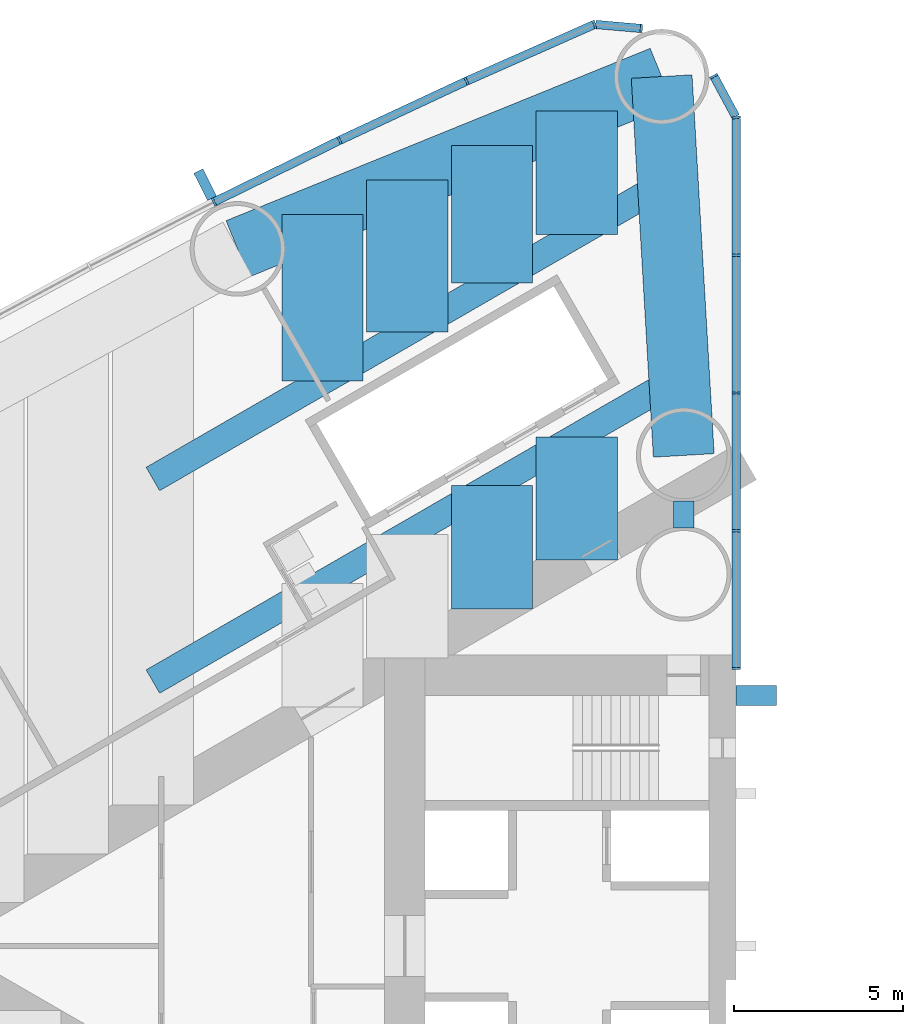
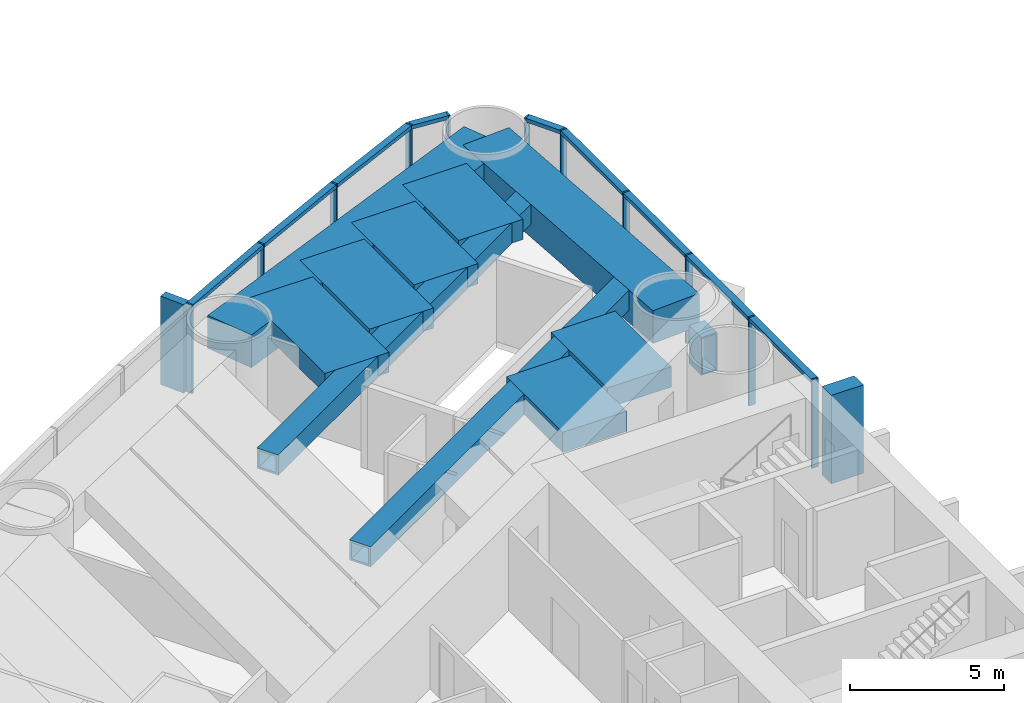
# One storey, part 5 of 19: 22 members, 11 beams, 2 elements without a shape of their own.
"""IFC4 building model written with IfcOpenShell, lengths in metres."""

from ifc_helpers import new_model, si_unit, direction, frame, origin, origin_2d, place, context, subcontext, project, spatial, rectangle, hollow_rectangle, extrude, material, material_profile, profile_set, type_object, element, aggregate, save


model = new_model("IFC4")

# Units and contexts
model_context = context("Model", 3, precision=1e-05, world=origin(), true_north=direction((0.0, 1.0)))
body_context = subcontext(model_context, "Body", "Model", "MODEL_VIEW")
ifc_project = project(units=[si_unit("LENGTHUNIT", "METRE"), si_unit("AREAUNIT", "SQUARE_METRE"), si_unit("VOLUMEUNIT", "CUBIC_METRE"), si_unit("PLANEANGLEUNIT", "RADIAN"), si_unit("MASSUNIT", "GRAM", prefix="KILO")], contexts=[model_context])

# Site, building, storey
site_placement = place(None, origin())
site = spatial("IfcSite", under=ifc_project, at=site_placement, CompositionType="ELEMENT")
building_placement = place(site_placement, origin())
building = spatial("IfcBuilding", under=site, at=building_placement, Name="Lancet Gate Hotel", CompositionType="ELEMENT")
storey_placement = place(building_placement, frame((0.0, 0.0, 32.0)))
storey = spatial("IfcBuildingStorey", under=building, at=storey_placement, Name="L07", CompositionType="ELEMENT", Elevation=32.0)

# Curtain wall, members
ifc_material_1 = material(Name="Aluminium curtain wall", Category="aluminium")
curtain_wall_type = type_object("IfcCurtainWallType", Name="Tower unitised curtain wall", PredefinedType="USERDEFINED", material=ifc_material_1)
curtain_wall_1_placement = place(storey_placement, origin())
curtain_wall_1 = element("IfcCurtainWall", 1, at=curtain_wall_1_placement, inside=storey, type_object=curtain_wall_type, Name="T1 L07 curtain wall 1", ObjectType="UNITISED CURTAIN WALL", PredefinedType="USERDEFINED")
ifc_material_2 = material(Name="Aluminium mullion", Category="aluminium")
ifc_material_profile_1 = material_profile(ifc_material_2, rectangle(XDim=0.06494140625, YDim=0.25, at=origin_2d()), Name="MULLION 65x250")
ifc_profile_set_1 = profile_set([ifc_material_profile_1], Name="Aluminium mullion")
member_type_1 = type_object("IfcMemberType", Name="Aluminium mullion 65x250", PredefinedType="MULLION", material=ifc_profile_set_1)
member_1_placement = place(storey_placement, frame((-27.5, 8.199951171875, 0.0), z_axis=(0.0, 0.0, 1.0), x_axis=(0.0, 1.0, 0.0)))
member_1 = element("IfcMember", 2, at=member_1_placement, type_object=member_type_1, Name="T1 L07 curtain wall 1 mullion 1", PredefinedType="MULLION", context=body_context, shape_type="SweptSolid", body=[
    extrude(rectangle(XDim=0.06494140625, YDim=0.25, at=origin_2d()), origin(), (0.0, 0.0, 1.0), 3.5),
])
member_2_placement = place(storey_placement, frame((-27.5, 12.272705078125, 0.0), z_axis=(0.0, 0.0, 1.0), x_axis=(0.0, 1.0, 0.0)))
member_2 = element("IfcMember", 3, at=member_2_placement, type_object=member_type_1, Name="T1 L07 curtain wall 1 mullion 2", PredefinedType="MULLION", context=body_context, shape_type="SweptSolid", body=[
    extrude(rectangle(XDim=0.06494140625, YDim=0.25, at=origin_2d()), origin(), (0.0, 0.0, 1.0), 3.5),
])
member_3_placement = place(storey_placement, frame((-27.5, 16.345703125, 0.0), z_axis=(0.0, 0.0, 1.0), x_axis=(0.0, 1.0, 0.0)))
member_3 = element("IfcMember", 4, at=member_3_placement, type_object=member_type_1, Name="T1 L07 curtain wall 1 mullion 3", PredefinedType="MULLION", context=body_context, shape_type="SweptSolid", body=[
    extrude(rectangle(XDim=0.06494140625, YDim=0.25, at=origin_2d()), origin(), (0.0, 0.0, 1.0), 3.5),
])
member_4_placement = place(storey_placement, frame((-27.5, 20.41845703125, 0.0), z_axis=(0.0, 0.0, 1.0), x_axis=(0.0, 1.0, 0.0)))
member_4 = element("IfcMember", 5, at=member_4_placement, type_object=member_type_1, Name="T1 L07 curtain wall 1 mullion 4", PredefinedType="MULLION", context=body_context, shape_type="SweptSolid", body=[
    extrude(rectangle(XDim=0.06494140625, YDim=0.25, at=origin_2d()), origin(), (0.0, 0.0, 1.0), 3.5),
])
member_5_placement = place(storey_placement, frame((-27.5, 24.4912109375, 0.0), z_axis=(0.0, 0.0, 1.0), x_axis=(-0.123482502544, 0.992346749662, 0.0)))
member_5 = element("IfcMember", 6, at=member_5_placement, type_object=member_type_1, Name="T1 L07 curtain wall 1 mullion 5", PredefinedType="MULLION", context=body_context, shape_type="SweptSolid", body=[
    extrude(rectangle(XDim=0.06494140625, YDim=0.25, at=origin_2d()), origin(), (0.0, 0.0, 1.0), 3.5),
])
member_6_placement = place(storey_placement, frame((-28.158935546875, 25.712890625, 0.0), z_axis=(0.0, 0.0, 1.0), x_axis=(-0.474631040972, 0.880184852714, 0.0)))
member_6 = element("IfcMember", 7, at=member_6_placement, type_object=member_type_1, Name="T1 L07 curtain wall 1 mullion 6", PredefinedType="MULLION", context=body_context, shape_type="SweptSolid", body=[
    extrude(rectangle(XDim=0.06494140625, YDim=0.25, at=origin_2d()), origin(), (0.0, 0.0, 1.0), 3.5),
])

curtain_wall_2_placement = place(storey_placement, origin())
curtain_wall_2 = element("IfcCurtainWall", 8, at=curtain_wall_2_placement, inside=storey, type_object=curtain_wall_type, Name="T1 L07 curtain wall 2", ObjectType="UNITISED CURTAIN WALL", PredefinedType="USERDEFINED")
member_7_placement = place(storey_placement, frame((-30.3046875, 27.124755859375, 0.0), z_axis=(0.0, 0.0, 1.0), x_axis=(-0.99620380374, 0.087051602022, 0.0)))
member_7 = element("IfcMember", 9, at=member_7_placement, type_object=member_type_1, Name="T1 L07 curtain wall 2 mullion 1", PredefinedType="MULLION", context=body_context, shape_type="SweptSolid", body=[
    extrude(rectangle(XDim=0.06494140625, YDim=0.25, at=origin_2d()), origin(), (0.0, 0.0, 1.0), 3.5),
])
member_8_placement = place(storey_placement, frame((-31.688720703125, 27.24560546875, 0.0), z_axis=(0.0, 0.0, 1.0), x_axis=(-0.957524354695, -0.288352406209, 0.0)))
member_8 = element("IfcMember", 10, at=member_8_placement, type_object=member_type_1, Name="T1 L07 curtain wall 2 mullion 2", PredefinedType="MULLION", context=body_context, shape_type="SweptSolid", body=[
    extrude(rectangle(XDim=0.06494140625, YDim=0.25, at=origin_2d()), origin(), (0.0, 0.0, 1.0), 3.5),
])
member_9_placement = place(storey_placement, frame((-35.473876953125, 25.568115234375, 0.0), z_axis=(0.0, 0.0, 1.0), x_axis=(-0.910219680212, -0.414125746308, 0.0)))
member_9 = element("IfcMember", 11, at=member_9_placement, type_object=member_type_1, Name="T1 L07 curtain wall 2 mullion 3", PredefinedType="MULLION", context=body_context, shape_type="SweptSolid", body=[
    extrude(rectangle(XDim=0.06494140625, YDim=0.25, at=origin_2d()), origin(), (0.0, 0.0, 1.0), 3.5),
])
member_10_placement = place(storey_placement, frame((-39.225341796875, 23.816650390625, 0.0), z_axis=(0.0, 0.0, 1.0), x_axis=(-0.901928838337, -0.431884672772, 0.0)))
member_10 = element("IfcMember", 12, at=member_10_placement, type_object=member_type_1, Name="T1 L07 curtain wall 2 mullion 4", PredefinedType="MULLION", context=body_context, shape_type="SweptSolid", body=[
    extrude(rectangle(XDim=0.06494140625, YDim=0.25, at=origin_2d()), origin(), (0.0, 0.0, 1.0), 3.5),
])
member_11_placement = place(storey_placement, frame((-42.94189453125, 21.991943359375, 0.0), z_axis=(0.0, 0.0, 1.0), x_axis=(-0.893291549794, -0.449477704748, 0.0)))
member_11 = element("IfcMember", 13, at=member_11_placement, type_object=member_type_1, Name="T1 L07 curtain wall 2 mullion 5", PredefinedType="MULLION", context=body_context, shape_type="SweptSolid", body=[
    extrude(rectangle(XDim=0.06494140625, YDim=0.25, at=origin_2d()), origin(), (0.0, 0.0, 1.0), 3.5),
])

# Member
ifc_material_3 = material(Name="Aluminium transom", Category="aluminium")
ifc_material_profile_2 = material_profile(ifc_material_3, rectangle(XDim=0.25, YDim=0.14990234375, at=origin_2d()), Name="TRANSOM 250x150")
ifc_profile_set_2 = profile_set([ifc_material_profile_2], Name="Aluminium transom")
member_type_2 = type_object("IfcMemberType", Name="Aluminium transom 250x150", PredefinedType="USERDEFINED", material=ifc_profile_set_2)
member_12_placement = place(storey_placement, frame((-27.5, 8.232421875, 3.425048828125), z_axis=(0.0, 1.0, 0.0), x_axis=(-1.0, 0.0, 0.0)))
member_12 = element("IfcMember", 14, at=member_12_placement, type_object=member_type_2, Name="T1 L07 curtain wall 1 transom 1", ObjectType="TRANSOM", PredefinedType="USERDEFINED", context=body_context, shape_type="SweptSolid", body=[
    extrude(rectangle(XDim=0.25, YDim=0.14990234375, at=origin_2d()), origin(), (0.0, 0.0, 1.0), 4.0078125),
])

member_13_placement = place(storey_placement, frame((-27.5, 12.30517578125, 3.425048828125), z_axis=(0.0, 1.0, 0.0), x_axis=(-1.0, 0.0, 0.0)))
member_13 = element("IfcMember", 15, at=member_13_placement, type_object=member_type_2, Name="T1 L07 curtain wall 1 transom 2", ObjectType="TRANSOM", PredefinedType="USERDEFINED", context=body_context, shape_type="SweptSolid", body=[
    extrude(rectangle(XDim=0.25, YDim=0.14990234375, at=origin_2d()), origin(), (0.0, 0.0, 1.0), 4.0078125),
])

member_14_placement = place(storey_placement, frame((-27.5, 16.378173828125, 3.425048828125), z_axis=(0.0, 1.0, 0.0), x_axis=(-1.0, 0.0, 0.0)))
member_14 = element("IfcMember", 16, at=member_14_placement, type_object=member_type_2, Name="T1 L07 curtain wall 1 transom 3", ObjectType="TRANSOM", PredefinedType="USERDEFINED", context=body_context, shape_type="SweptSolid", body=[
    extrude(rectangle(XDim=0.25, YDim=0.14990234375, at=origin_2d()), origin(), (0.0, 0.0, 1.0), 4.0078125),
])

member_15_placement = place(storey_placement, frame((-27.5, 20.450927734375, 3.425048828125), z_axis=(0.0, 1.0, 0.0), x_axis=(-1.0, 0.0, 0.0)))
member_15 = element("IfcMember", 17, at=member_15_placement, type_object=member_type_2, Name="T1 L07 curtain wall 1 transom 4", ObjectType="TRANSOM", PredefinedType="USERDEFINED", context=body_context, shape_type="SweptSolid", body=[
    extrude(rectangle(XDim=0.25, YDim=0.14990234375, at=origin_2d()), origin(), (0.0, 0.0, 1.0), 4.0078125),
])

member_16_placement = place(storey_placement, frame((-27.515380859375, 24.519775390625, 3.425048828125), z_axis=(-0.474605926905, 0.880198394765, 0.0), x_axis=(-0.880198394765, -0.474605926905, 0.0)))
member_16 = element("IfcMember", 18, at=member_16_placement, type_object=member_type_2, Name="T1 L07 curtain wall 1 transom 5", ObjectType="TRANSOM", PredefinedType="USERDEFINED", context=body_context, shape_type="SweptSolid", body=[
    extrude(rectangle(XDim=0.25, YDim=0.14990234375, at=origin_2d()), origin(), (0.0, 0.0, 1.0), 1.322998046875),
])

aggregate(curtain_wall_1, [member_1, member_2, member_3, member_4, member_5, member_6, member_12, member_13, member_14, member_15, member_16])

member_17_placement = place(storey_placement, frame((-30.337158203125, 27.127685546875, 3.425048828125), z_axis=(-0.99620591587, 0.087027427779, 0.0), x_axis=(-0.087027427779, -0.99620591587, 0.0)))
member_17 = element("IfcMember", 19, at=member_17_placement, type_object=member_type_2, Name="T1 L07 curtain wall 2 transom 1", ObjectType="TRANSOM", PredefinedType="USERDEFINED", context=body_context, shape_type="SweptSolid", body=[
    extrude(rectangle(XDim=0.25, YDim=0.14990234375, at=origin_2d()), origin(), (0.0, 0.0, 1.0), 1.32421875),
])

member_18_placement = place(storey_placement, frame((-31.71826171875, 27.232421875, 3.425048828125), z_axis=(-0.914248281954, -0.405154389022, 0.0), x_axis=(0.405154389022, -0.914248281954, 0.0)))
member_18 = element("IfcMember", 20, at=member_18_placement, type_object=member_type_2, Name="T1 L07 curtain wall 2 transom 2", ObjectType="TRANSOM", PredefinedType="USERDEFINED", context=body_context, shape_type="SweptSolid", body=[
    extrude(rectangle(XDim=0.25, YDim=0.14990234375, at=origin_2d()), origin(), (0.0, 0.0, 1.0), 4.0751953125),
])

member_19_placement = place(storey_placement, frame((-35.503173828125, 25.554443359375, 3.425048828125), z_axis=(-0.906109667261, -0.423042871228, 0.0), x_axis=(0.423042871228, -0.906109667261, 0.0)))
member_19 = element("IfcMember", 21, at=member_19_placement, type_object=member_type_2, Name="T1 L07 curtain wall 2 transom 3", ObjectType="TRANSOM", PredefinedType="USERDEFINED", context=body_context, shape_type="SweptSolid", body=[
    extrude(rectangle(XDim=0.25, YDim=0.14990234375, at=origin_2d()), origin(), (0.0, 0.0, 1.0), 4.075439453125),
])

member_20_placement = place(storey_placement, frame((-39.254638671875, 23.80224609375, 3.425048828125), z_axis=(-0.897662439958, -0.440683723194, 0.0), x_axis=(0.440683723194, -0.897662439958, 0.0)))
member_20 = element("IfcMember", 22, at=member_20_placement, type_object=member_type_2, Name="T1 L07 curtain wall 2 transom 4", ObjectType="TRANSOM", PredefinedType="USERDEFINED", context=body_context, shape_type="SweptSolid", body=[
    extrude(rectangle(XDim=0.25, YDim=0.14990234375, at=origin_2d()), origin(), (0.0, 0.0, 1.0), 4.0751953125),
])

# Beams
ifc_material_4 = material(Name="Concrete C50/60", Category="concrete")
ifc_material_profile_3 = material_profile(ifc_material_4, rectangle(XDim=1.800048828125, YDim=1.300048828125, at=origin_2d()), Name="RC 1800x1300")
ifc_profile_set_3 = profile_set([ifc_material_profile_3], Name="Concrete C50/60")
beam_type_1 = type_object("IfcBeamType", Name="Edge beam RC 1800x1300", PredefinedType="SPANDREL", material=ifc_profile_set_3)
beam_1_placement = place(storey_placement, frame((-29.703369140625, 25.70263671875, 2.60009765625), z_axis=(-0.926463236197, -0.376385270667, 0.0), x_axis=(0.376385270667, -0.926463236197, 0.0)))
element("IfcBeam", 23, at=beam_1_placement, inside=storey, type_object=beam_type_1, Name="T1 edge beam EB1 L07", PredefinedType="SPANDREL", context=body_context, shape_type="SweptSolid", body=[
    extrude(rectangle(XDim=1.800048828125, YDim=1.300048828125, at=origin_2d()), origin(), (0.0, 0.0, 1.0), 13.537353515625),
])
beam_2_placement = place(storey_placement, frame((-29.703369140625, 25.70263671875, 2.60009765625), z_axis=(0.058219521912, -0.998303805096, 0.0), x_axis=(0.998303805096, 0.058219521912, 0.0)))
element("IfcBeam", 24, at=beam_2_placement, inside=storey, type_object=beam_type_1, Name="T1 edge beam EB1 L07", PredefinedType="SPANDREL", context=body_context, shape_type="SweptSolid", body=[
    extrude(rectangle(XDim=1.800048828125, YDim=1.300048828125, at=origin_2d()), origin(), (0.0, 0.0, 1.0), 11.2216796875),
])

# Member
ifc_material_5 = material(Name="Concrete C60/75", Category="concrete")
ifc_material_profile_4 = material_profile(ifc_material_5, rectangle(XDim=0.60009765625, YDim=1.199951171875, at=origin_2d()), Name="FIN 600x1200")
ifc_profile_set_4 = profile_set([ifc_material_profile_4], Name="Concrete C60/75")
member_type_3 = type_object("IfcMemberType", Name="Exposed concrete buttress pilaster 600x1200", PredefinedType="USERDEFINED", material=ifc_profile_set_4)
member_21_placement = place(storey_placement, frame((-26.909912109375, 7.39990234375, 0.0), z_axis=(0.0, 0.0, 1.0), x_axis=(0.0, 1.0, 0.0)))
element("IfcMember", 25, at=member_21_placement, inside=storey, type_object=member_type_3, Name="T1 buttress pilaster S L07", ObjectType="FIN", PredefinedType="USERDEFINED", context=body_context, shape_type="SweptSolid", body=[
    extrude(rectangle(XDim=0.60009765625, YDim=1.199951171875, at=origin_2d()), origin(), (0.0, 0.0, 1.0), 3.5),
])

ifc_material_6 = material(Name="Precast concrete C50/60", Category="concrete")
ifc_material_profile_5 = material_profile(ifc_material_6, rectangle(XDim=0.300048828125, YDim=0.89990234375, at=origin_2d()), Name="FIN 300x900")
ifc_profile_set_5 = profile_set([ifc_material_profile_5], Name="Precast concrete C50/60")
member_type_4 = type_object("IfcMemberType", Name="Exposed concrete fin 300x900", PredefinedType="USERDEFINED", material=ifc_profile_set_5)
member_22_placement = place(storey_placement, frame((-43.200439453125, 22.505615234375, 0.0), z_axis=(0.0, 0.0, 1.0), x_axis=(-0.893291549794, -0.449477704748, 0.0)))
member_22 = element("IfcMember", 26, at=member_22_placement, type_object=member_type_4, Name="T1 L07 curtain wall 2 fin 5", ObjectType="FIN", PredefinedType="USERDEFINED", context=body_context, shape_type="SweptSolid", body=[
    extrude(rectangle(XDim=0.300048828125, YDim=0.89990234375, at=origin_2d()), origin(), (0.0, 0.0, 1.0), 3.5),
])

aggregate(curtain_wall_2, [member_7, member_8, member_9, member_10, member_11, member_22, member_17, member_18, member_19, member_20])

# Beams
ifc_material_7 = material(Name="Concrete C50/60", Category="concrete")
ifc_material_profile_6 = material_profile(ifc_material_7, rectangle(XDim=2.39990234375, YDim=0.800048828125, at=origin_2d()), Name="RC 2400x800")
ifc_profile_set_6 = profile_set([ifc_material_profile_6], Name="Concrete C50/60")
beam_type_2 = type_object("IfcBeamType", Name="Floor beam RC 2400x800", PredefinedType="BEAM", material=ifc_profile_set_6)
beam_3_placement = place(storey_placement, frame((-32.213623046875, 24.682861328125, 2.85009765625), z_axis=(0.0, -1.0, 0.0), x_axis=(1.0, 0.0, 0.0)))
element("IfcBeam", 27, at=beam_3_placement, inside=storey, type_object=beam_type_2, Name="T1 floor beam F02SA L07", PredefinedType="BEAM", context=body_context, shape_type="SweptSolid", body=[
    extrude(rectangle(XDim=2.39990234375, YDim=0.800048828125, at=origin_2d()), origin(), (0.0, 0.0, 1.0), 3.643798828125),
])
beam_4_placement = place(storey_placement, frame((-32.213623046875, 15.051025390625, 2.85009765625), z_axis=(0.0, -1.0, 0.0), x_axis=(1.0, 0.0, 0.0)))
element("IfcBeam", 28, at=beam_4_placement, inside=storey, type_object=beam_type_2, Name="T1 floor beam F02SB L07", PredefinedType="BEAM", context=body_context, shape_type="SweptSolid", body=[
    extrude(rectangle(XDim=2.39990234375, YDim=0.800048828125, at=origin_2d()), origin(), (0.0, 0.0, 1.0), 3.645751953125),
])
beam_5_placement = place(storey_placement, frame((-34.720458984375, 23.664306640625, 2.85009765625), z_axis=(0.0, -1.0, 0.0), x_axis=(1.0, 0.0, 0.0)))
element("IfcBeam", 29, at=beam_5_placement, inside=storey, type_object=beam_type_2, Name="T1 floor beam F04SA L07", PredefinedType="BEAM", context=body_context, shape_type="SweptSolid", body=[
    extrude(rectangle(XDim=2.39990234375, YDim=0.800048828125, at=origin_2d()), origin(), (0.0, 0.0, 1.0), 4.07275390625),
])
beam_6_placement = place(storey_placement, frame((-34.720458984375, 13.603759765625, 2.85009765625), z_axis=(0.0, -1.0, 0.0), x_axis=(1.0, 0.0, 0.0)))
element("IfcBeam", 30, at=beam_6_placement, inside=storey, type_object=beam_type_2, Name="T1 floor beam F04SB L07", PredefinedType="BEAM", context=body_context, shape_type="SweptSolid", body=[
    extrude(rectangle(XDim=2.39990234375, YDim=0.800048828125, at=origin_2d()), origin(), (0.0, 0.0, 1.0), 3.645751953125),
])
beam_7_placement = place(storey_placement, frame((-37.227294921875, 22.64599609375, 2.85009765625), z_axis=(0.0, -1.0, 0.0), x_axis=(1.0, 0.0, 0.0)))
element("IfcBeam", 31, at=beam_7_placement, inside=storey, type_object=beam_type_2, Name="T1 floor beam F05SA L07", PredefinedType="BEAM", context=body_context, shape_type="SweptSolid", body=[
    extrude(rectangle(XDim=2.39990234375, YDim=0.800048828125, at=origin_2d()), origin(), (0.0, 0.0, 1.0), 4.501953125),
])
beam_8_placement = place(storey_placement, frame((-39.734130859375, 21.627685546875, 2.85009765625), z_axis=(0.0, -1.0, 0.0), x_axis=(1.0, 0.0, 0.0)))
element("IfcBeam", 32, at=beam_8_placement, inside=storey, type_object=beam_type_2, Name="T1 floor beam F07SA L07", PredefinedType="BEAM", context=body_context, shape_type="SweptSolid", body=[
    extrude(rectangle(XDim=2.39990234375, YDim=0.800048828125, at=origin_2d()), origin(), (0.0, 0.0, 1.0), 4.93115234375),
])
ifc_material_8 = material(Name="Steel S460QL", Category="steel")
ifc_material_profile_7 = material_profile(ifc_material_8, hollow_rectangle(XDim=0.60009765625, YDim=1.5, WallThickness=0.050048828125, at=origin_2d()), Name="BOX 1500x600x50")
ifc_profile_set_7 = profile_set([ifc_material_profile_7], Name="Steel S460QL")
beam_type_3 = type_object("IfcBeamType", Name="Inner-face link beam BOX 1500x600x50", PredefinedType="BEAM", material=ifc_profile_set_7)
beam_9_placement = place(storey_placement, frame((-29.050048828125, 13.14990234375, 2.5), z_axis=(0.0, -1.0, 0.0), x_axis=(1.0, 0.0, 0.0)))
element("IfcBeam", 33, at=beam_9_placement, inside=storey, type_object=beam_type_3, Name="T1 inner-face link beam LK1 L07", PredefinedType="BEAM", context=body_context, shape_type="SweptSolid", body=[
    extrude(hollow_rectangle(XDim=0.60009765625, YDim=1.5, WallThickness=0.050048828125, at=origin_2d()), origin(), (0.0, 0.0, 1.0), 0.7998046875),
])
ifc_material_9 = material(Name="Steel S460QL", Category="steel")
ifc_material_profile_8 = material_profile(ifc_material_9, hollow_rectangle(XDim=0.800048828125, YDim=0.800048828125, WallThickness=0.080078125, at=origin_2d()), Name="BOX 800x800x80")
ifc_profile_set_8 = profile_set([ifc_material_profile_8], Name="Steel S460QL")
beam_type_4 = type_object("IfcBeamType", Name="Trimmer beam BOX 800x800x80", PredefinedType="BEAM", material=ifc_profile_set_8)
beam_10_placement = place(storey_placement, frame((-29.18408203125, 16.800537109375, 2.85009765625), z_axis=(-0.865998945969, -0.500045823481, 0.0), x_axis=(0.500045823481, -0.865998945969, 0.0)))
element("IfcBeam", 34, at=beam_10_placement, inside=storey, type_object=beam_type_4, Name="T1 trimmer beam TR01S L07", PredefinedType="BEAM", context=body_context, shape_type="SweptSolid", body=[
    extrude(hollow_rectangle(XDim=0.800048828125, YDim=0.800048828125, WallThickness=0.080078125, at=origin_2d()), origin(), (0.0, 0.0, 1.0), 17.971923828125),
])
beam_11_placement = place(storey_placement, frame((-29.52197265625, 22.59326171875, 2.85009765625), z_axis=(-0.866004054636, -0.500036975987, 0.0), x_axis=(0.500036975987, -0.866004054636, 0.0)))
element("IfcBeam", 35, at=beam_11_placement, inside=storey, type_object=beam_type_4, Name="T1 trimmer beam TR02S L07", PredefinedType="BEAM", context=body_context, shape_type="SweptSolid", body=[
    extrude(hollow_rectangle(XDim=0.800048828125, YDim=0.800048828125, WallThickness=0.080078125, at=origin_2d()), origin(), (0.0, 0.0, 1.0), 17.581787109375),
])

save(model, "model.ifc")
